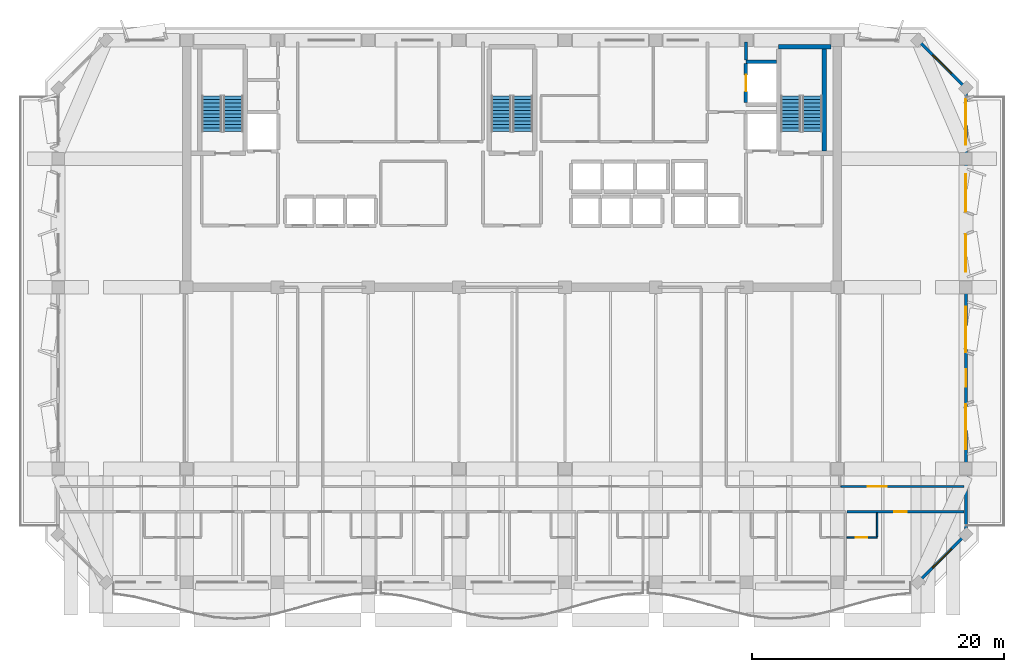
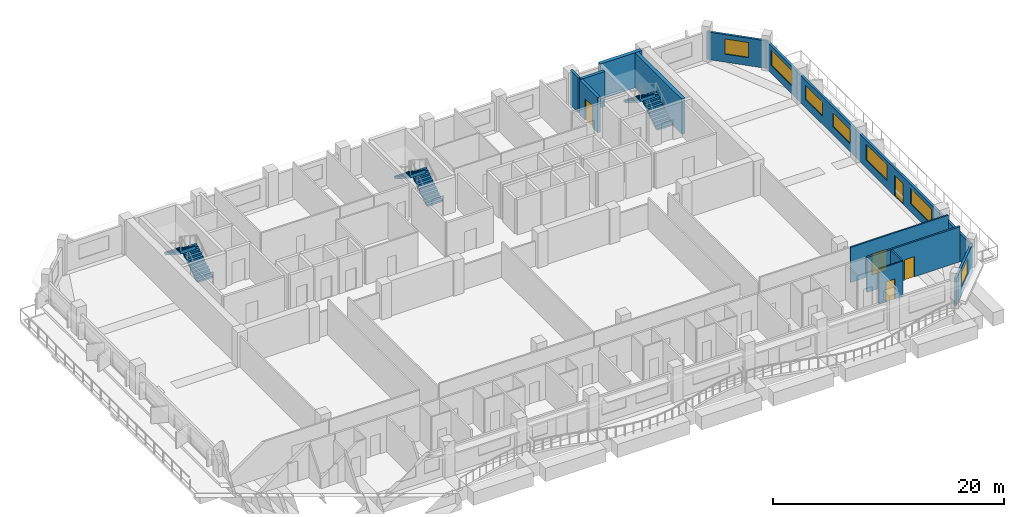
# One storey, part 9 of 13: 12 walls, 7 windows, 6 stair flights, 5 doors, 12 openings, 3 elements without a shape of their own.
"""IFC4 building model written with IfcOpenShell, lengths in metres."""

from ifc_helpers import new_model, si_unit, direction, frame, frame_2d, origin, place, context, subcontext, project, spatial, polyline, rectangle, outline, extrude, material, layer, layer_set, type_object, element, fill, aggregate, save


model = new_model("IFC4")

# Units and contexts
model_context = context("Model", 3, precision=1e-05, world=origin(), true_north=direction((0.0, 1.0)))
body_context = subcontext(model_context, "Body", "Model", "MODEL_VIEW")
ifc_project = project(units=[si_unit("LENGTHUNIT", "METRE"), si_unit("AREAUNIT", "SQUARE_METRE"), si_unit("VOLUMEUNIT", "CUBIC_METRE"), si_unit("PLANEANGLEUNIT", "RADIAN"), si_unit("MASSUNIT", "GRAM", prefix="KILO")], contexts=[model_context])

# Site, building, storey
site_placement = place(None, origin())
site = spatial("IfcSite", under=ifc_project, at=site_placement, CompositionType="ELEMENT")
building_placement = place(site_placement, origin())
building = spatial("IfcBuilding", under=site, at=building_placement, Name="Kaelvorn Grand Hotel", CompositionType="ELEMENT")
storey_placement = place(building_placement, frame((0.0, 0.0, 229.14990234375)))
storey = spatial("IfcBuildingStorey", under=building, at=storey_placement, Name="L56", CompositionType="ELEMENT", Elevation=229.14990234375)

# Wall, opening, window
ifc_material_1 = material(Name="Concrete C40/50", Category="concrete")
ifc_layer_1 = layer(ifc_material_1, 0.219970703125)
ifc_layer_set_1 = layer_set([ifc_layer_1], Name="Concrete C40/50")
wall_type_1 = type_object("IfcWallType", Name="WL-EXT-220-C40", PredefinedType="SOLIDWALL", material=ifc_layer_set_1)
wall_1_placement = place(storey_placement, frame((74.199951171875, 6.0, 0.0), z_axis=(0.0, 0.0, 1.0), x_axis=(0.707106781187, 0.707106781187, 0.0)))
wall_1 = element("IfcWall", 1, at=wall_1_placement, inside=storey, type_object=wall_type_1, Name="L56 Exterior Architectural Concrete Wall 02", PredefinedType="SOLIDWALL", context=body_context, shape_type="SweptSolid", body=[
    extrude(rectangle(XDim=5.3740234375, YDim=0.219970703125, at=frame_2d((2.68701171875, 0.0))), origin(), (0.0, 0.0, 1.0), 2.91015625),
])
opening_1_placement = place(wall_1_placement, frame((1.636962890625, 0.0, 0.85009765625)))
opening_1 = element("IfcOpeningElement", 2, at=opening_1_placement, cuts=wall_1, Name="Opening W7", PredefinedType="OPENING", context=body_context, shape_type="SweptSolid", body=[
    extrude(rectangle(XDim=2.10009765625, YDim=1.60009765625, at=frame_2d((1.050048828125, 0.800048828125))), frame((0.0, 0.1201171875, 0.0), z_axis=(0.0, -1.0, 0.0), x_axis=(1.0, 0.0, 0.0)), (0.0, 0.0, 1.0), 0.239990234375),
])
ifc_material_2 = material(Name="Laminated Low-E Glass", Category="glass")
window_type_1 = type_object("IfcWindowType", Name="WIN-CHM-2100x1600", PartitioningType="SINGLE_PANEL", PredefinedType="WINDOW", material=ifc_material_2)
window_1_placement = place(opening_1_placement, origin())
window_1 = element("IfcWindow", 3, at=window_1_placement, inside=storey, type_object=window_type_1, Name="L56 Chamfered 45-Degree Corner Window SE", OverallHeight=1.60009765625, OverallWidth=2.10009765625, PartitioningType="SINGLE_PANEL", PredefinedType="WINDOW", context=body_context, shape_type="SweptSolid", body=[
    extrude(rectangle(XDim=2.10009765625, YDim=1.60009765625, at=frame_2d((1.050048828125, 0.800048828125))), frame((0.0, 0.030029296875, 0.0), z_axis=(0.0, -1.0, 0.0), x_axis=(1.0, 0.0, 0.0)), (0.0, 0.0, 1.0), 0.06005859375),
])
fill(opening_1, window_1)

# Wall, openings, door, windows
wall_2_placement = place(storey_placement, frame((78.0, 9.800048828125, 0.0), z_axis=(0.0, 0.0, 1.0), x_axis=(0.0, 1.0, 0.0)))
wall_2 = element("IfcWall", 4, at=wall_2_placement, inside=storey, type_object=wall_type_1, Name="L56 Exterior Architectural Concrete Wall 03", PredefinedType="SOLIDWALL", context=body_context, shape_type="SweptSolid", body=[
    extrude(rectangle(XDim=35.39990234375, YDim=0.219970703125, at=frame_2d((17.699951171875, 0.0))), origin(), (0.0, 0.0, 1.0), 2.91015625),
])
opening_2_placement = place(wall_2_placement, frame((11.699951171875, 0.0, 0.0)))
opening_2 = element("IfcOpeningElement", 5, at=opening_2_placement, cuts=wall_2, Name="Opening DE3", PredefinedType="OPENING", context=body_context, shape_type="SweptSolid", body=[
    extrude(rectangle(XDim=1.39990234375, YDim=2.199951171875, at=frame_2d((0.699951171875, 1.10009765625))), frame((0.0, 0.1201171875, 0.0), z_axis=(0.0, -1.0, 0.0), x_axis=(1.0, 0.0, 0.0)), (0.0, 0.0, 1.0), 0.239990234375),
])
opening_3_placement = place(wall_2_placement, frame((6.739990234375, 0.0, 0.85009765625)))
opening_3 = element("IfcOpeningElement", 6, at=opening_3_placement, cuts=wall_2, Name="Opening W3", PredefinedType="OPENING", context=body_context, shape_type="SweptSolid", body=[
    extrude(rectangle(XDim=3.60009765625, YDim=1.64990234375, at=frame_2d((1.800048828125, 0.824951171875))), frame((0.0, 0.1201171875, 0.0), z_axis=(0.0, -1.0, 0.0), x_axis=(1.0, 0.0, 0.0)), (0.0, 0.0, 1.0), 0.239990234375),
])
opening_4_placement = place(wall_2_placement, frame((14.4599609375, 0.0, 0.85009765625)))
opening_4 = element("IfcOpeningElement", 7, at=opening_4_placement, cuts=wall_2, Name="Opening W3", PredefinedType="OPENING", context=body_context, shape_type="SweptSolid", body=[
    extrude(rectangle(XDim=3.60009765625, YDim=1.64990234375, at=frame_2d((1.800048828125, 0.824951171875))), frame((0.0, 0.1201171875, 0.0), z_axis=(0.0, -1.0, 0.0), x_axis=(1.0, 0.0, 0.0)), (0.0, 0.0, 1.0), 0.239990234375),
])
opening_5_placement = place(wall_2_placement, frame((20.81494140625, 0.0, 0.85009765625)))
opening_5 = element("IfcOpeningElement", 8, at=opening_5_placement, cuts=wall_2, Name="Opening W5", PredefinedType="OPENING", context=body_context, shape_type="SweptSolid", body=[
    extrude(rectangle(XDim=3.0, YDim=1.5, at=frame_2d((1.5, 0.75))), frame((0.0, 0.1201171875, 0.0), z_axis=(0.0, -1.0, 0.0), x_axis=(1.0, 0.0, 0.0)), (0.0, 0.0, 1.0), 0.239990234375),
])
opening_6_placement = place(wall_2_placement, frame((25.5849609375, 0.0, 0.85009765625)))
opening_6 = element("IfcOpeningElement", 9, at=opening_6_placement, cuts=wall_2, Name="Opening W5", PredefinedType="OPENING", context=body_context, shape_type="SweptSolid", body=[
    extrude(rectangle(XDim=3.0, YDim=1.5, at=frame_2d((1.5, 0.75))), frame((0.0, 0.1201171875, 0.0), z_axis=(0.0, -1.0, 0.0), x_axis=(1.0, 0.0, 0.0)), (0.0, 0.0, 1.0), 0.239990234375),
])
opening_7_placement = place(wall_2_placement, frame((30.9150390625, 0.0, 0.85009765625)))
opening_7 = element("IfcOpeningElement", 10, at=opening_7_placement, cuts=wall_2, Name="Opening W3", PredefinedType="OPENING", context=body_context, shape_type="SweptSolid", body=[
    extrude(rectangle(XDim=3.60009765625, YDim=1.64990234375, at=frame_2d((1.800048828125, 0.824951171875))), frame((0.0, 0.1201171875, 0.0), z_axis=(0.0, -1.0, 0.0), x_axis=(1.0, 0.0, 0.0)), (0.0, 0.0, 1.0), 0.239990234375),
])
ifc_material_3 = material(Name="Anodised Aluminium", Category="aluminium")
door_type_1 = type_object("IfcDoorType", Name="DR-EXT-TERR-1400x2200", OperationType="NOTDEFINED", PredefinedType="DOOR", material=ifc_material_3)
door_1_placement = place(opening_2_placement, origin())
door_1 = element("IfcDoor", 11, at=door_1_placement, inside=storey, type_object=door_type_1, Name="L56 East Setback Terrace Step-Free Door DE3-E", OperationType="SINGLE_SWING_RIGHT", OverallHeight=2.199951171875, OverallWidth=1.39990234375, PredefinedType="DOOR", context=body_context, shape_type="SweptSolid", body=[
    extrude(rectangle(XDim=1.39990234375, YDim=2.199951171875, at=frame_2d((0.699951171875, 1.10009765625))), frame((0.0, 0.02490234375, 0.0), z_axis=(0.0, -1.0, 0.0), x_axis=(1.0, 0.0, 0.0)), (0.0, 0.0, 1.0), 0.050048828125),
])
fill(opening_2, door_1)
window_type_2 = type_object("IfcWindowType", Name="WIN-NTH-3000x1500", PartitioningType="SINGLE_PANEL", PredefinedType="WINDOW", material=ifc_material_2)
window_2_placement = place(opening_5_placement, origin())
window_2 = element("IfcWindow", 12, at=window_2_placement, inside=storey, type_object=window_type_2, Name="L56 E Wing Tilted-Frame Ribbon Window E03", OverallHeight=1.5, OverallWidth=3.0, PartitioningType="SINGLE_PANEL", PredefinedType="WINDOW", context=body_context, shape_type="SweptSolid", body=[
    extrude(rectangle(XDim=3.0, YDim=1.5, at=frame_2d((1.5, 0.75))), frame((0.0, 0.030029296875, 0.0), z_axis=(0.0, -1.0, 0.0), x_axis=(1.0, 0.0, 0.0)), (0.0, 0.0, 1.0), 0.06005859375),
])
fill(opening_5, window_2)
window_3_placement = place(opening_6_placement, origin())
window_3 = element("IfcWindow", 13, at=window_3_placement, inside=storey, type_object=window_type_2, Name="L56 E Wing Tilted-Frame Ribbon Window E04", OverallHeight=1.5, OverallWidth=3.0, PartitioningType="SINGLE_PANEL", PredefinedType="WINDOW", context=body_context, shape_type="SweptSolid", body=[
    extrude(rectangle(XDim=3.0, YDim=1.5, at=frame_2d((1.5, 0.75))), frame((0.0, 0.030029296875, 0.0), z_axis=(0.0, -1.0, 0.0), x_axis=(1.0, 0.0, 0.0)), (0.0, 0.0, 1.0), 0.06005859375),
])
fill(opening_6, window_3)
window_type_3 = type_object("IfcWindowType", Name="WIN-RIB-3600x1750", PartitioningType="SINGLE_PANEL", PredefinedType="WINDOW", material=ifc_material_2)
window_4_placement = place(opening_3_placement, origin())
window_4 = element("IfcWindow", 14, at=window_4_placement, inside=storey, type_object=window_type_3, Name="L56 E Wing Tilted-Frame Ribbon Window E01", OverallHeight=1.64990234375, OverallWidth=3.60009765625, PartitioningType="SINGLE_PANEL", PredefinedType="WINDOW", context=body_context, shape_type="SweptSolid", body=[
    extrude(rectangle(XDim=3.60009765625, YDim=1.64990234375, at=frame_2d((1.800048828125, 0.824951171875))), frame((0.0, 0.030029296875, 0.0), z_axis=(0.0, -1.0, 0.0), x_axis=(1.0, 0.0, 0.0)), (0.0, 0.0, 1.0), 0.06005859375),
])
fill(opening_3, window_4)
window_5_placement = place(opening_4_placement, origin())
window_5 = element("IfcWindow", 15, at=window_5_placement, inside=storey, type_object=window_type_3, Name="L56 E Wing Tilted-Frame Ribbon Window E02", OverallHeight=1.64990234375, OverallWidth=3.60009765625, PartitioningType="SINGLE_PANEL", PredefinedType="WINDOW", context=body_context, shape_type="SweptSolid", body=[
    extrude(rectangle(XDim=3.60009765625, YDim=1.64990234375, at=frame_2d((1.800048828125, 0.824951171875))), frame((0.0, 0.030029296875, 0.0), z_axis=(0.0, -1.0, 0.0), x_axis=(1.0, 0.0, 0.0)), (0.0, 0.0, 1.0), 0.06005859375),
])
fill(opening_4, window_5)
window_6_placement = place(opening_7_placement, origin())
window_6 = element("IfcWindow", 16, at=window_6_placement, inside=storey, type_object=window_type_3, Name="L56 E Wing Tilted-Frame Ribbon Window E05", OverallHeight=1.64990234375, OverallWidth=3.60009765625, PartitioningType="SINGLE_PANEL", PredefinedType="WINDOW", context=body_context, shape_type="SweptSolid", body=[
    extrude(rectangle(XDim=3.60009765625, YDim=1.64990234375, at=frame_2d((1.800048828125, 0.824951171875))), frame((0.0, 0.030029296875, 0.0), z_axis=(0.0, -1.0, 0.0), x_axis=(1.0, 0.0, 0.0)), (0.0, 0.0, 1.0), 0.06005859375),
])
fill(opening_7, window_6)

# Wall, opening, window
wall_3_placement = place(storey_placement, frame((78.0, 45.199951171875, 0.0), z_axis=(0.0, 0.0, 1.0), x_axis=(-0.707106781187, 0.707106781187, 0.0)))
wall_3 = element("IfcWall", 17, at=wall_3_placement, inside=storey, type_object=wall_type_1, Name="L56 Exterior Architectural Concrete Wall 04", PredefinedType="SOLIDWALL", context=body_context, shape_type="SweptSolid", body=[
    extrude(rectangle(XDim=5.3740234375, YDim=0.219970703125, at=frame_2d((2.68701171875, 0.0))), origin(), (0.0, 0.0, 1.0), 2.91015625),
])
opening_8_placement = place(wall_3_placement, frame((1.636962890625, 0.0, 0.85009765625)))
opening_8 = element("IfcOpeningElement", 18, at=opening_8_placement, cuts=wall_3, Name="Opening W7", PredefinedType="OPENING", context=body_context, shape_type="SweptSolid", body=[
    extrude(rectangle(XDim=2.10009765625, YDim=1.60009765625, at=frame_2d((1.050048828125, 0.800048828125))), frame((0.0, 0.1201171875, 0.0), z_axis=(0.0, -1.0, 0.0), x_axis=(1.0, 0.0, 0.0)), (0.0, 0.0, 1.0), 0.239990234375),
])
window_7_placement = place(opening_8_placement, origin())
window_7 = element("IfcWindow", 19, at=window_7_placement, inside=storey, type_object=window_type_1, Name="L56 Chamfered 45-Degree Corner Window NE", OverallHeight=1.60009765625, OverallWidth=2.10009765625, PartitioningType="SINGLE_PANEL", PredefinedType="WINDOW", context=body_context, shape_type="SweptSolid", body=[
    extrude(rectangle(XDim=2.10009765625, YDim=1.60009765625, at=frame_2d((1.050048828125, 0.800048828125))), frame((0.0, 0.030029296875, 0.0), z_axis=(0.0, -1.0, 0.0), x_axis=(1.0, 0.0, 0.0)), (0.0, 0.0, 1.0), 0.06005859375),
])
fill(opening_8, window_7)

# Wall, opening, door
ifc_material_4 = material(Name="Moisture-Resistant Tile & Stud Board")
ifc_layer_2 = layer(ifc_material_4, 0.125)
ifc_layer_set_2 = layer_set([ifc_layer_2], Name="Moisture-Resistant Tile & Stud Board")
wall_type_2 = type_object("IfcWallType", Name="WL-PART-125-WET", PredefinedType="PARTITIONING", material=ifc_layer_set_2)
wall_4_placement = place(storey_placement, frame((68.5537109375, 9.550048828125, 0.0), z_axis=(0.0, 0.0, 1.0), x_axis=(1.0, 0.0, 0.0)))
wall_4 = element("IfcWall", 20, at=wall_4_placement, inside=storey, type_object=wall_type_2, Name="L56 En-suite Bathroom L56-12 S Partition", PredefinedType="PARTITIONING", context=body_context, shape_type="SweptSolid", body=[
    extrude(rectangle(XDim=2.40478515625, YDim=0.125, at=frame_2d((1.202392578125, 0.0))), origin(), (0.0, 0.0, 1.0), 3.710205078125),
])
opening_9_placement = place(wall_4_placement, frame((0.705078125, 0.0, 0.0)))
opening_9 = element("IfcOpeningElement", 21, at=opening_9_placement, cuts=wall_4, Name="Opening DI4", PredefinedType="OPENING", context=body_context, shape_type="SweptSolid", body=[
    extrude(rectangle(XDim=0.89990234375, YDim=2.10009765625, at=frame_2d((0.449951171875, 1.050048828125))), frame((0.0, 0.072509765625, 0.0), z_axis=(0.0, -1.0, 0.0), x_axis=(1.0, 0.0, 0.0)), (0.0, 0.0, 1.0), 0.14501953125),
])
ifc_material_5 = material(Name="Timber Veneer Leaf", Category="wood")
door_type_2 = type_object("IfcDoorType", Name="DR-INT-BATH-900x2100", OperationType="NOTDEFINED", PredefinedType="DOOR", material=ifc_material_5)
door_2_placement = place(opening_9_placement, origin())
door_2 = element("IfcDoor", 22, at=door_2_placement, inside=storey, type_object=door_type_2, Name="L56 En-suite Bathroom L56-12 Door", OperationType="SINGLE_SWING_RIGHT", OverallHeight=2.10009765625, OverallWidth=0.89990234375, PredefinedType="DOOR", context=body_context, shape_type="SweptSolid", body=[
    extrude(rectangle(XDim=0.89990234375, YDim=2.10009765625, at=frame_2d((0.449951171875, 1.050048828125))), frame((0.0, 0.02490234375, 0.0), z_axis=(0.0, -1.0, 0.0), x_axis=(1.0, 0.0, 0.0)), (0.0, 0.0, 1.0), 0.050048828125),
])
fill(opening_9, door_2)

# Wall
wall_5_placement = place(storey_placement, frame((70.95849609375, 9.617431640625, 0.0), z_axis=(0.0, 0.0, 1.0), x_axis=(0.0, 1.0, 0.0)))
element("IfcWall", 23, at=wall_5_placement, inside=storey, type_object=wall_type_2, Name="L56 En-suite Bathroom L56-12 E Partition", PredefinedType="PARTITIONING", context=body_context, shape_type="SweptSolid", body=[
    extrude(rectangle(XDim=1.887451171875, YDim=0.125, at=frame_2d((0.94384765625, 0.0))), origin(), (0.0, 0.0, 1.0), 3.710205078125),
])

# Wall, opening, door
ifc_material_6 = material(Name="Acoustic Gypsum & Stud Partition")
ifc_layer_3 = layer(ifc_material_6, 0.14990234375)
ifc_layer_set_3 = layer_set([ifc_layer_3], Name="Acoustic Gypsum & Stud Partition")
wall_type_3 = type_object("IfcWallType", Name="WL-PART-150-EI60", PredefinedType="PARTITIONING", material=ifc_layer_set_3)
wall_6_placement = place(storey_placement, frame((68.080078125, 13.60009765625, 0.0), z_axis=(0.0, 0.0, 1.0), x_axis=(1.0, 0.0, 0.0)))
wall_6 = element("IfcWall", 24, at=wall_6_placement, inside=storey, type_object=wall_type_3, Name="L56 East Sky Music & Recital Salon S Partition", PredefinedType="PARTITIONING", context=body_context, shape_type="SweptSolid", body=[
    extrude(rectangle(XDim=9.77001953125, YDim=0.14990234375, at=frame_2d((4.885009765625, 0.0))), origin(), (0.0, 0.0, 1.0), 3.710205078125),
])
opening_10_placement = place(wall_6_placement, frame((2.139892578125, 0.0, 0.0)))
opening_10 = element("IfcOpeningElement", 25, at=opening_10_placement, cuts=wall_6, Name="Opening DI5", PredefinedType="OPENING", context=body_context, shape_type="SweptSolid", body=[
    extrude(rectangle(XDim=1.5, YDim=2.25, at=frame_2d((0.75, 1.125))), frame((0.0, 0.0849609375, 0.0), z_axis=(0.0, -1.0, 0.0), x_axis=(1.0, 0.0, 0.0)), (0.0, 0.0, 1.0), 0.169921875),
])
ifc_material_7 = material(Name="Timber Veneer Fire Leaf", Category="wood")
door_type_3 = type_object("IfcDoorType", Name="DR-INT-SALON-1500x2250", OperationType="DOUBLE_DOOR_SINGLE_SWING", PredefinedType="DOOR", material=ifc_material_7)
door_3_placement = place(opening_10_placement, origin())
door_3 = element("IfcDoor", 26, at=door_3_placement, inside=storey, type_object=door_type_3, Name="L56 East Sky Music & Recital Salon Door", OperationType="DOUBLE_DOOR_SINGLE_SWING", OverallHeight=2.25, OverallWidth=1.5, PredefinedType="DOOR", context=body_context, shape_type="SweptSolid", body=[
    extrude(rectangle(XDim=1.5, YDim=2.25, at=frame_2d((0.75, 1.125))), frame((0.0, 0.02490234375, 0.0), z_axis=(0.0, -1.0, 0.0), x_axis=(1.0, 0.0, 0.0)), (0.0, 0.0, 1.0), 0.050048828125),
])
fill(opening_10, door_3)

ifc_layer_4 = layer(ifc_material_6, 0.179931640625)
ifc_layer_set_4 = layer_set([ifc_layer_4], Name="Acoustic Gypsum & Stud Partition")
wall_type_4 = type_object("IfcWallType", Name="WL-PART-180-EI60", PredefinedType="PARTITIONING", material=ifc_layer_set_4)
wall_7_placement = place(storey_placement, frame((68.5537109375, 11.60009765625, 0.0), z_axis=(0.0, 0.0, 1.0), x_axis=(1.0, 0.0, 0.0)))
wall_7 = element("IfcWall", 27, at=wall_7_placement, inside=storey, type_object=wall_type_4, Name="L56 Ambassador Guest Room L56-12 N Partition", PredefinedType="PARTITIONING", context=body_context, shape_type="SweptSolid", body=[
    extrude(rectangle(XDim=9.29638671875, YDim=0.179931640625, at=frame_2d((4.648193359375, 0.0))), origin(), (0.0, 0.0, 1.0), 3.710205078125),
])
opening_11_placement = place(wall_7_placement, frame((3.746337890625, 0.0, 0.0)))
opening_11 = element("IfcOpeningElement", 28, at=opening_11_placement, cuts=wall_7, Name="Opening DI3", PredefinedType="OPENING", context=body_context, shape_type="SweptSolid", body=[
    extrude(rectangle(XDim=1.0, YDim=2.14990234375, at=frame_2d((0.5, 1.074951171875))), frame((0.0, 0.10009765625, 0.0), z_axis=(0.0, -1.0, 0.0), x_axis=(1.0, 0.0, 0.0)), (0.0, 0.0, 1.0), 0.199951171875),
])
door_type_4 = type_object("IfcDoorType", Name="DR-INT-GUEST-1000x2150", OperationType="NOTDEFINED", PredefinedType="DOOR", material=ifc_material_7)
door_4_placement = place(opening_11_placement, origin())
door_4 = element("IfcDoor", 29, at=door_4_placement, inside=storey, type_object=door_type_4, Name="L56 Ambassador Guest Room L56-12 Door", OperationType="SINGLE_SWING_LEFT", OverallHeight=2.14990234375, OverallWidth=1.0, PredefinedType="DOOR", context=body_context, shape_type="SweptSolid", body=[
    extrude(rectangle(XDim=1.0, YDim=2.14990234375, at=frame_2d((0.5, 1.074951171875))), frame((0.0, 0.02490234375, 0.0), z_axis=(0.0, -1.0, 0.0), x_axis=(1.0, 0.0, 0.0)), (0.0, 0.0, 1.0), 0.050048828125),
])
fill(opening_11, door_4)

# Walls
ifc_layer_5 = layer(ifc_material_1, 0.219970703125)
ifc_layer_set_5 = layer_set([ifc_layer_5], Name="Concrete C40/50")
wall_type_5 = type_object("IfcWallType", Name="WL-PART-220-EI120", PredefinedType="PARTITIONING", material=ifc_layer_set_5)
wall_8_placement = place(storey_placement, frame((60.550048828125, 47.445068359375, 0.0), z_axis=(0.0, 0.0, 1.0), x_axis=(0.0, 1.0, 0.0)))
element("IfcWall", 30, at=wall_8_placement, inside=storey, type_object=wall_type_5, Name="L56 Service Lift Lobby E Partition", PredefinedType="PARTITIONING", context=body_context, shape_type="SweptSolid", body=[
    extrude(rectangle(XDim=1.405029296875, YDim=0.219970703125, at=frame_2d((0.70263671875, 0.0))), origin(), (0.0, 0.0, 1.0), 3.710205078125),
])
ifc_material_8 = material(Name="Concrete C50/60", Category="concrete")
ifc_layer_6 = layer(ifc_material_8, 0.280029296875)
ifc_layer_set_6 = layer_set([ifc_layer_6], Name="Concrete C50/60")
wall_type_6 = type_object("IfcWallType", Name="WL-SHAFT-280-C50", PredefinedType="SHEAR", material=ifc_layer_set_6)
wall_9_placement = place(storey_placement, frame((60.550048828125, 47.300048828125, 0.0), z_axis=(0.0, 0.0, 1.0), x_axis=(1.0, 0.0, 0.0)))
element("IfcWall", 31, at=wall_9_placement, inside=storey, type_object=wall_type_6, Name="L56 Lift SV1 Shaft North Wall", PredefinedType="SHEAR", context=body_context, shape_type="SweptSolid", body=[
    extrude(rectangle(XDim=2.4150390625, YDim=0.280029296875, at=frame_2d((1.20751953125, 0.0))), origin(), (0.0, 0.0, 1.0), 3.710205078125),
])

# Wall, opening, door
wall_10_placement = place(storey_placement, frame((60.550048828125, 44.044921875, 0.0), z_axis=(0.0, 0.0, 1.0), x_axis=(0.0, 1.0, 0.0)))
wall_10 = element("IfcWall", 32, at=wall_10_placement, inside=storey, type_object=wall_type_6, Name="L56 Lift SV1 Shaft West Wall", PredefinedType="SHEAR", context=body_context, shape_type="SweptSolid", body=[
    extrude(rectangle(XDim=3.110107421875, YDim=0.280029296875, at=frame_2d((1.55517578125, 0.0))), origin(), (0.0, 0.0, 1.0), 3.710205078125),
])
opening_12_placement = place(wall_10_placement, frame((0.905029296875, 0.0, 0.0)))
opening_12 = element("IfcOpeningElement", 33, at=opening_12_placement, cuts=wall_10, Name="Opening LD-SV1", PredefinedType="OPENING", context=body_context, shape_type="SweptSolid", body=[
    extrude(rectangle(XDim=1.300048828125, YDim=2.300048828125, at=frame_2d((0.64990234375, 1.14990234375))), frame((0.0, 0.14990234375, 0.0), z_axis=(0.0, -1.0, 0.0), x_axis=(1.0, 0.0, 0.0)), (0.0, 0.0, 1.0), 0.300048828125),
])
ifc_material_9 = material(Name="Stainless Steel", Category="steel")
door_type_5 = type_object("IfcDoorType", Name="DR-LIFT-SERV-1300x2300", OperationType="DOUBLE_DOOR_SLIDING", PredefinedType="DOOR", material=ifc_material_9)
door_5_placement = place(opening_12_placement, origin())
door_5 = element("IfcDoor", 34, at=door_5_placement, inside=storey, type_object=door_type_5, Name="L56 Lift SV1 Sliding Landing Door LD-SV1", OperationType="DOUBLE_DOOR_SLIDING", OverallHeight=2.300048828125, OverallWidth=1.300048828125, PredefinedType="DOOR", context=body_context, shape_type="SweptSolid", body=[
    extrude(rectangle(XDim=1.300048828125, YDim=2.300048828125, at=frame_2d((0.64990234375, 1.14990234375))), frame((0.0, 0.02490234375, 0.0), z_axis=(0.0, -1.0, 0.0), x_axis=(1.0, 0.0, 0.0)), (0.0, 0.0, 1.0), 0.050048828125),
])
fill(opening_12, door_5)

# Walls
ifc_material_10 = material(Name="Concrete C60/75", Category="concrete")
ifc_layer_7 = layer(ifc_material_10, 0.35009765625)
ifc_layer_set_7 = layer_set([ifc_layer_7], Name="Concrete C60/75")
wall_type_7 = type_object("IfcWallType", Name="WL-SHAFT-350-C60", PredefinedType="SHEAR", material=ifc_layer_set_7)
wall_11_placement = place(storey_placement, frame((63.14501953125, 48.47509765625, 0.0), z_axis=(0.0, 0.0, 1.0), x_axis=(1.0, 0.0, 0.0)))
element("IfcWall", 35, at=wall_11_placement, inside=storey, type_object=wall_type_7, Name="L56 ST3 Stair Shaft North Wall", PredefinedType="SHEAR", context=body_context, shape_type="SweptSolid", body=[
    extrude(rectangle(XDim=4.14990234375, YDim=0.35009765625, at=frame_2d((2.074951171875, 0.0))), origin(), (0.0, 0.0, 1.0), 3.710205078125),
])
wall_12_placement = place(storey_placement, frame((66.77490234375, 40.205078125, 0.0), z_axis=(0.0, 0.0, 1.0), x_axis=(0.0, 1.0, 0.0)))
element("IfcWall", 36, at=wall_12_placement, inside=storey, type_object=wall_type_7, Name="L56 ST3 Stair Shaft East Wall", PredefinedType="SHEAR", context=body_context, shape_type="SweptSolid", body=[
    extrude(rectangle(XDim=8.08984375, YDim=0.35009765625, at=frame_2d((4.044921875, 0.0))), origin(), (0.0, 0.0, 1.0), 3.710205078125),
])

# Stair, stair flights
stair_type = type_object("IfcStairType", Name="STR-DOG-1560-R09", PredefinedType="HALF_TURN_STAIR", material=ifc_material_1)
stair_1_placement = place(storey_placement, origin())
stair_1 = element("IfcStair", 37, at=stair_1_placement, inside=storey, type_object=stair_type, Name="L56 West Core Exit Stair ST1", PredefinedType="HALF_TURN_STAIR")
stair_flight_type = type_object("IfcStairFlightType", Name="FLG-DOG-1560-R09", PredefinedType="STRAIGHT", material=ifc_material_1)
stair_flight_1_placement = place(storey_placement, frame((19.89990234375, 41.760009765625, 0.0), z_axis=(0.0, 0.0, 1.0), x_axis=(0.0, 1.0, 0.0)))
stair_flight_1 = element("IfcStairFlight", 38, at=stair_flight_1_placement, type_object=stair_flight_type, Name="ST1 flight 1", NumberOfRisers=11, NumberOfTreads=10, PredefinedType="STRAIGHT", RiserHeight=0.179545455, TreadLength=0.28, context=body_context, shape_type="SweptSolid", body=[
    extrude(outline(polyline([(-0.0048828125, 0.0), (-0.0048828125, 0.0400390625), (0.0, 0.179443359375), (0.280029296875, 0.179443359375), (0.280029296875, 0.359130859375), (0.56005859375, 0.359130859375), (0.56005859375, 0.53857421875), (0.840087890625, 0.53857421875), (0.840087890625, 0.71826171875), (1.1201171875, 0.71826171875), (1.1201171875, 0.897705078125), (1.39990234375, 0.897705078125), (1.39990234375, 1.077392578125), (1.679931640625, 1.077392578125), (1.679931640625, 1.2568359375), (1.9599609375, 1.2568359375), (1.9599609375, 1.436279296875), (2.239990234375, 1.436279296875), (2.239990234375, 1.615966796875), (2.52001953125, 1.615966796875), (2.52001953125, 1.79541015625), (2.800048828125, 1.79541015625), (2.800048828125, 1.97509765625), (2.804931640625, 1.97509765625), (2.804931640625, 1.617431640625), (0.277587890625, 0.0), (-0.0048828125, 0.0)])), frame((0.0, 0.780029296875, 0.0), z_axis=(0.0, -1.0, 0.0), x_axis=(1.0, 0.0, 0.0)), (0.0, 0.0, 1.0), 1.56005859375),
])
stair_flight_2_placement = place(storey_placement, frame((18.179931640625, 44.56005859375, 1.97509765625), z_axis=(0.0, 0.0, 1.0), x_axis=(0.0, -1.0, 0.0)))
stair_flight_2 = element("IfcStairFlight", 39, at=stair_flight_2_placement, type_object=stair_flight_type, Name="ST1 flight 2", NumberOfRisers=11, NumberOfTreads=10, PredefinedType="STRAIGHT", RiserHeight=0.179545455, TreadLength=0.28, context=body_context, shape_type="SweptSolid", body=[
    extrude(outline(polyline([(-0.0048828125, 0.0), (-0.0048828125, 0.0400390625), (0.0, 0.179443359375), (0.280029296875, 0.179443359375), (0.280029296875, 0.359130859375), (0.56005859375, 0.359130859375), (0.56005859375, 0.53857421875), (0.840087890625, 0.53857421875), (0.840087890625, 0.71826171875), (1.1201171875, 0.71826171875), (1.1201171875, 0.897705078125), (1.39990234375, 0.897705078125), (1.39990234375, 1.077392578125), (1.679931640625, 1.077392578125), (1.679931640625, 1.2568359375), (1.9599609375, 1.2568359375), (1.9599609375, 1.436279296875), (2.239990234375, 1.436279296875), (2.239990234375, 1.615966796875), (2.52001953125, 1.615966796875), (2.52001953125, 1.79541015625), (2.800048828125, 1.79541015625), (2.800048828125, 1.97509765625), (2.804931640625, 1.97509765625), (2.804931640625, 1.617431640625), (0.277587890625, 0.0), (-0.0048828125, 0.0)])), frame((0.0, 0.780029296875, 0.0), z_axis=(0.0, -1.0, 0.0), x_axis=(1.0, 0.0, 0.0)), (0.0, 0.0, 1.0), 1.56005859375),
])
aggregate(stair_1, [stair_flight_1, stair_flight_2])

stair_2_placement = place(storey_placement, origin())
stair_2 = element("IfcStair", 40, at=stair_2_placement, inside=storey, type_object=stair_type, Name="L56 Central Core Exit Stair ST2", PredefinedType="HALF_TURN_STAIR")
stair_flight_3_placement = place(storey_placement, frame((42.860107421875, 41.760009765625, 0.0), z_axis=(0.0, 0.0, 1.0), x_axis=(0.0, 1.0, 0.0)))
stair_flight_3 = element("IfcStairFlight", 41, at=stair_flight_3_placement, type_object=stair_flight_type, Name="ST2 flight 1", NumberOfRisers=11, NumberOfTreads=10, PredefinedType="STRAIGHT", RiserHeight=0.179545455, TreadLength=0.28, context=body_context, shape_type="SweptSolid", body=[
    extrude(outline(polyline([(-0.0048828125, 0.0), (-0.0048828125, 0.0400390625), (0.0, 0.179443359375), (0.280029296875, 0.179443359375), (0.280029296875, 0.359130859375), (0.56005859375, 0.359130859375), (0.56005859375, 0.53857421875), (0.840087890625, 0.53857421875), (0.840087890625, 0.71826171875), (1.1201171875, 0.71826171875), (1.1201171875, 0.897705078125), (1.39990234375, 0.897705078125), (1.39990234375, 1.077392578125), (1.679931640625, 1.077392578125), (1.679931640625, 1.2568359375), (1.9599609375, 1.2568359375), (1.9599609375, 1.436279296875), (2.239990234375, 1.436279296875), (2.239990234375, 1.615966796875), (2.52001953125, 1.615966796875), (2.52001953125, 1.79541015625), (2.800048828125, 1.79541015625), (2.800048828125, 1.97509765625), (2.804931640625, 1.97509765625), (2.804931640625, 1.617431640625), (0.277587890625, 0.0), (-0.0048828125, 0.0)])), frame((0.0, 0.780029296875, 0.0), z_axis=(0.0, -1.0, 0.0), x_axis=(1.0, 0.0, 0.0)), (0.0, 0.0, 1.0), 1.56005859375),
])
stair_flight_4_placement = place(storey_placement, frame((41.139892578125, 44.56005859375, 1.97509765625), z_axis=(0.0, 0.0, 1.0), x_axis=(0.0, -1.0, 0.0)))
stair_flight_4 = element("IfcStairFlight", 42, at=stair_flight_4_placement, type_object=stair_flight_type, Name="ST2 flight 2", NumberOfRisers=11, NumberOfTreads=10, PredefinedType="STRAIGHT", RiserHeight=0.179545455, TreadLength=0.28, context=body_context, shape_type="SweptSolid", body=[
    extrude(outline(polyline([(-0.0048828125, 0.0), (-0.0048828125, 0.0400390625), (0.0, 0.179443359375), (0.280029296875, 0.179443359375), (0.280029296875, 0.359130859375), (0.56005859375, 0.359130859375), (0.56005859375, 0.53857421875), (0.840087890625, 0.53857421875), (0.840087890625, 0.71826171875), (1.1201171875, 0.71826171875), (1.1201171875, 0.897705078125), (1.39990234375, 0.897705078125), (1.39990234375, 1.077392578125), (1.679931640625, 1.077392578125), (1.679931640625, 1.2568359375), (1.9599609375, 1.2568359375), (1.9599609375, 1.436279296875), (2.239990234375, 1.436279296875), (2.239990234375, 1.615966796875), (2.52001953125, 1.615966796875), (2.52001953125, 1.79541015625), (2.800048828125, 1.79541015625), (2.800048828125, 1.97509765625), (2.804931640625, 1.97509765625), (2.804931640625, 1.617431640625), (0.277587890625, 0.0), (-0.0048828125, 0.0)])), frame((0.0, 0.780029296875, 0.0), z_axis=(0.0, -1.0, 0.0), x_axis=(1.0, 0.0, 0.0)), (0.0, 0.0, 1.0), 1.56005859375),
])
aggregate(stair_2, [stair_flight_3, stair_flight_4])

stair_3_placement = place(storey_placement, origin())
stair_3 = element("IfcStair", 43, at=stair_3_placement, inside=storey, type_object=stair_type, Name="L56 East Core Exit Stair ST3", PredefinedType="HALF_TURN_STAIR")
stair_flight_5_placement = place(storey_placement, frame((65.820068359375, 41.760009765625, 0.0), z_axis=(0.0, 0.0, 1.0), x_axis=(0.0, 1.0, 0.0)))
stair_flight_5 = element("IfcStairFlight", 44, at=stair_flight_5_placement, type_object=stair_flight_type, Name="ST3 flight 1", NumberOfRisers=11, NumberOfTreads=10, PredefinedType="STRAIGHT", RiserHeight=0.179545455, TreadLength=0.28, context=body_context, shape_type="SweptSolid", body=[
    extrude(outline(polyline([(-0.0048828125, 0.0), (-0.0048828125, 0.0400390625), (0.0, 0.179443359375), (0.280029296875, 0.179443359375), (0.280029296875, 0.359130859375), (0.56005859375, 0.359130859375), (0.56005859375, 0.53857421875), (0.840087890625, 0.53857421875), (0.840087890625, 0.71826171875), (1.1201171875, 0.71826171875), (1.1201171875, 0.897705078125), (1.39990234375, 0.897705078125), (1.39990234375, 1.077392578125), (1.679931640625, 1.077392578125), (1.679931640625, 1.2568359375), (1.9599609375, 1.2568359375), (1.9599609375, 1.436279296875), (2.239990234375, 1.436279296875), (2.239990234375, 1.615966796875), (2.52001953125, 1.615966796875), (2.52001953125, 1.79541015625), (2.800048828125, 1.79541015625), (2.800048828125, 1.97509765625), (2.804931640625, 1.97509765625), (2.804931640625, 1.617431640625), (0.277587890625, 0.0), (-0.0048828125, 0.0)])), frame((0.0, 0.780029296875, 0.0), z_axis=(0.0, -1.0, 0.0), x_axis=(1.0, 0.0, 0.0)), (0.0, 0.0, 1.0), 1.56005859375),
])
stair_flight_6_placement = place(storey_placement, frame((64.10009765625, 44.56005859375, 1.97509765625), z_axis=(0.0, 0.0, 1.0), x_axis=(0.0, -1.0, 0.0)))
stair_flight_6 = element("IfcStairFlight", 45, at=stair_flight_6_placement, type_object=stair_flight_type, Name="ST3 flight 2", NumberOfRisers=11, NumberOfTreads=10, PredefinedType="STRAIGHT", RiserHeight=0.179545455, TreadLength=0.28, context=body_context, shape_type="SweptSolid", body=[
    extrude(outline(polyline([(-0.0048828125, 0.0), (-0.0048828125, 0.0400390625), (0.0, 0.179443359375), (0.280029296875, 0.179443359375), (0.280029296875, 0.359130859375), (0.56005859375, 0.359130859375), (0.56005859375, 0.53857421875), (0.840087890625, 0.53857421875), (0.840087890625, 0.71826171875), (1.1201171875, 0.71826171875), (1.1201171875, 0.897705078125), (1.39990234375, 0.897705078125), (1.39990234375, 1.077392578125), (1.679931640625, 1.077392578125), (1.679931640625, 1.2568359375), (1.9599609375, 1.2568359375), (1.9599609375, 1.436279296875), (2.239990234375, 1.436279296875), (2.239990234375, 1.615966796875), (2.52001953125, 1.615966796875), (2.52001953125, 1.79541015625), (2.800048828125, 1.79541015625), (2.800048828125, 1.97509765625), (2.804931640625, 1.97509765625), (2.804931640625, 1.617431640625), (0.277587890625, 0.0), (-0.0048828125, 0.0)])), frame((0.0, 0.780029296875, 0.0), z_axis=(0.0, -1.0, 0.0), x_axis=(1.0, 0.0, 0.0)), (0.0, 0.0, 1.0), 1.56005859375),
])
aggregate(stair_3, [stair_flight_5, stair_flight_6])

save(model, "model.ifc")
